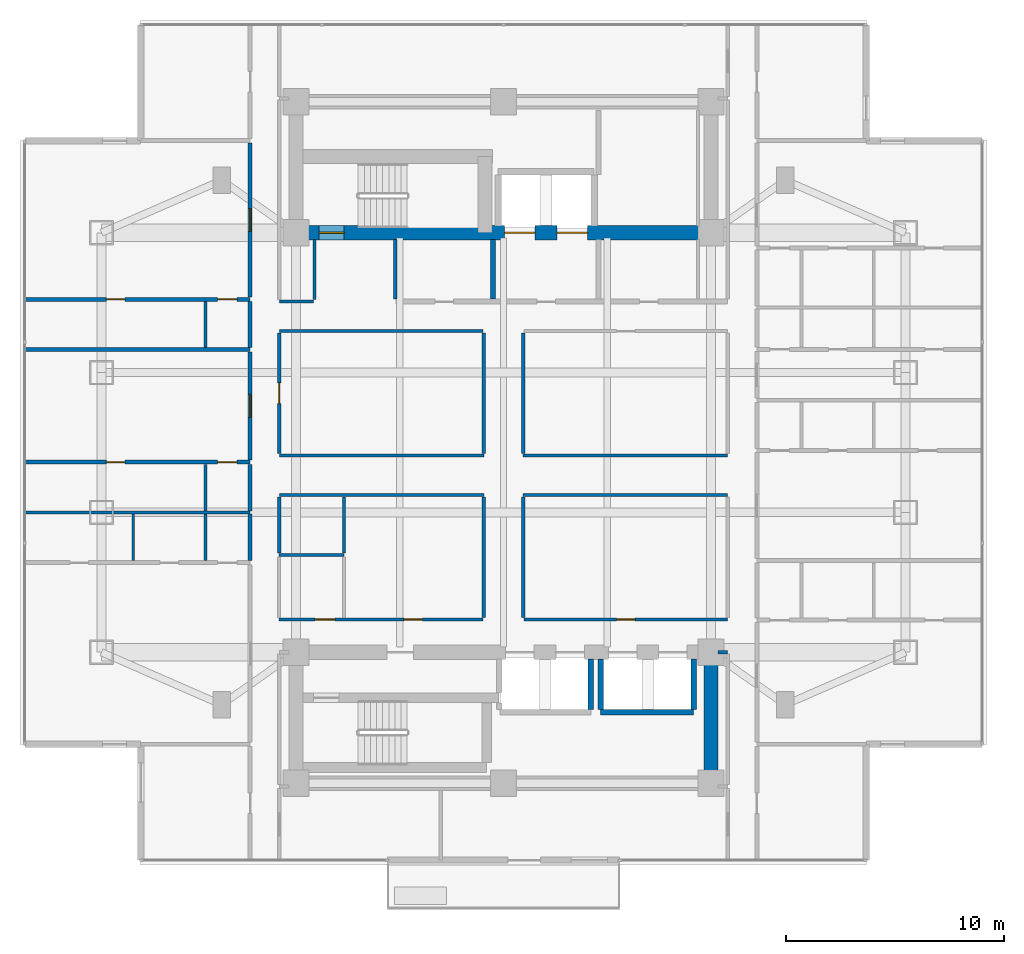
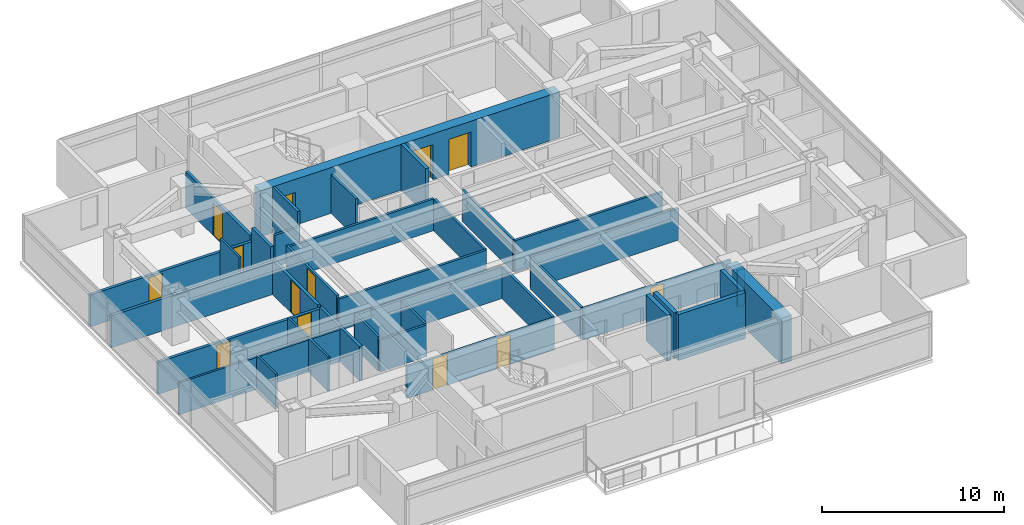
# One storey, part 14 of 26: 39 walls, 13 doors, 13 openings.
"""IFC4 building model written with IfcOpenShell, lengths in metres."""

from ifc_helpers import new_model, si_unit, direction, frame, frame_2d, origin, place, context, subcontext, project, spatial, rectangle, extrude, material, layer, layer_set, type_object, element, fill, save


model = new_model("IFC4")

# Units and contexts
model_context = context("Model", 3, precision=1e-05, world=origin(), true_north=direction((0.0, 1.0)))
body_context = subcontext(model_context, "Body", "Model", "MODEL_VIEW")
ifc_project = project(units=[si_unit("LENGTHUNIT", "METRE"), si_unit("AREAUNIT", "SQUARE_METRE"), si_unit("VOLUMEUNIT", "CUBIC_METRE"), si_unit("PLANEANGLEUNIT", "RADIAN"), si_unit("MASSUNIT", "GRAM", prefix="KILO")], contexts=[model_context])

# Site, building, storey
site_placement = place(None, origin())
site = spatial("IfcSite", under=ifc_project, at=site_placement, CompositionType="ELEMENT")
building_placement = place(site_placement, origin())
building = spatial("IfcBuilding", under=site, at=building_placement, Name="Mirazonda Arch Towers", CompositionType="ELEMENT")
storey_placement = place(building_placement, frame((0.0, 0.0, 108.199951171875)))
storey = spatial("IfcBuildingStorey", under=building, at=storey_placement, Name="L30", CompositionType="ELEMENT", Elevation=108.199951171875)

# Wall, openings, doors
ifc_material_1 = material(Name="Concrete C60/75", Category="concrete")
ifc_layer_1 = layer(ifc_material_1, 0.64990234375, Name="WALL-CORE-650")
ifc_layer_set_1 = layer_set([ifc_layer_1], Name="Concrete C60/75")
wall_type_1 = type_object("IfcWallType", Name="WALL-CORE-650", PredefinedType="SHEAR", material=ifc_layer_set_1)
wall_1_placement = place(storey_placement, frame((11.0, 37.60009765625, 0.0), z_axis=(0.0, 0.0, 1.0), x_axis=(1.0, 0.0, 0.0)))
wall_1 = element("IfcWall", 1, at=wall_1_placement, inside=storey, type_object=wall_type_1, Name="L30 T1N-S Core Shear Wall", PredefinedType="SHEAR", context=body_context, shape_type="SweptSolid", body=[
    extrude(rectangle(XDim=19.0, YDim=0.64990234375, at=frame_2d((9.5, 0.0))), origin(), (0.0, 0.0, 1.0), 3.080078125),
])
opening_1_placement = place(wall_1_placement, frame((1.06005859375, 0.0, 0.0)))
opening_1 = element("IfcOpeningElement", 2, at=opening_1_placement, cuts=wall_1, Name="Opening DR-135", PredefinedType="OPENING", context=body_context, shape_type="SweptSolid", body=[
    extrude(rectangle(XDim=1.14990234375, YDim=2.199951171875, at=frame_2d((0.574951171875, 1.10009765625))), frame((0.0, 0.3349609375, 0.0), z_axis=(0.0, -1.0, 0.0), x_axis=(1.0, 0.0, 0.0)), (0.0, 0.0, 1.0), 0.669921875),
])
opening_2_placement = place(wall_1_placement, frame((9.550048828125, 0.0, 0.0)))
opening_2 = element("IfcOpeningElement", 3, at=opening_2_placement, cuts=wall_1, Name="Opening LD-112", PredefinedType="OPENING", context=body_context, shape_type="SweptSolid", body=[
    extrude(rectangle(XDim=1.39990234375, YDim=2.35009765625, at=frame_2d((0.699951171875, 1.175048828125))), frame((0.0, 0.3349609375, 0.0), z_axis=(0.0, -1.0, 0.0), x_axis=(1.0, 0.0, 0.0)), (0.0, 0.0, 1.0), 0.669921875),
])
opening_3_placement = place(wall_1_placement, frame((11.949951171875, 0.0, 0.0)))
opening_3 = element("IfcOpeningElement", 4, at=opening_3_placement, cuts=wall_1, Name="Opening LD-112", PredefinedType="OPENING", context=body_context, shape_type="SweptSolid", body=[
    extrude(rectangle(XDim=1.39990234375, YDim=2.35009765625, at=frame_2d((0.699951171875, 1.175048828125))), frame((0.0, 0.3349609375, 0.0), z_axis=(0.0, -1.0, 0.0), x_axis=(1.0, 0.0, 0.0)), (0.0, 0.0, 1.0), 0.669921875),
])
ifc_material_2 = material(Name="Architectural Brushed Steel S355", Category="steel")
door_type_1 = type_object("IfcDoorType", Name="DOOR-LIFT-FFL-1400", OperationType="NOTDEFINED", PredefinedType="DOOR", material=ifc_material_2)
door_1_placement = place(opening_2_placement, origin())
door_1 = element("IfcDoor", 5, at=door_1_placement, inside=storey, type_object=door_type_1, Name="L30 Lift Landing Sliding Door FFL-T1", OperationType="DOUBLE_DOOR_SLIDING", OverallHeight=2.35009765625, OverallWidth=1.39990234375, PredefinedType="DOOR", context=body_context, shape_type="SweptSolid", body=[
    extrude(rectangle(XDim=1.39990234375, YDim=2.35009765625, at=frame_2d((0.699951171875, 1.175048828125))), frame((0.0, 0.02490234375, 0.0), z_axis=(0.0, -1.0, 0.0), x_axis=(1.0, 0.0, 0.0)), (0.0, 0.0, 1.0), 0.050048828125),
])
fill(opening_2, door_1)
door_2_placement = place(opening_3_placement, origin())
door_2 = element("IfcDoor", 6, at=door_2_placement, inside=storey, type_object=door_type_1, Name="L30 Lift Landing Sliding Door SVL-T1", OperationType="DOUBLE_DOOR_SLIDING", OverallHeight=2.35009765625, OverallWidth=1.39990234375, PredefinedType="DOOR", context=body_context, shape_type="SweptSolid", body=[
    extrude(rectangle(XDim=1.39990234375, YDim=2.35009765625, at=frame_2d((0.699951171875, 1.175048828125))), frame((0.0, 0.02490234375, 0.0), z_axis=(0.0, -1.0, 0.0), x_axis=(1.0, 0.0, 0.0)), (0.0, 0.0, 1.0), 0.050048828125),
])
fill(opening_3, door_2)
door_type_2 = type_object("IfcDoorType", Name="DOOR-STAIR-FD90-1150", OperationType="NOTDEFINED", PredefinedType="DOOR", material=ifc_material_2)
door_3_placement = place(opening_1_placement, origin())
door_3 = element("IfcDoor", 7, at=door_3_placement, inside=storey, type_object=door_type_2, Name="L30 Protected Exit Stair North Door", OperationType="SINGLE_SWING_RIGHT", OverallHeight=2.199951171875, OverallWidth=1.14990234375, PredefinedType="DOOR", context=body_context, shape_type="SweptSolid", body=[
    extrude(rectangle(XDim=1.14990234375, YDim=2.199951171875, at=frame_2d((0.574951171875, 1.10009765625))), frame((0.0, 0.02490234375, 0.0), z_axis=(0.0, -1.0, 0.0), x_axis=(1.0, 0.0, 0.0)), (0.0, 0.0, 1.0), 0.050048828125),
])
fill(opening_1, door_3)

# Walls
wall_2_placement = place(storey_placement, frame((30.0, 12.39990234375, 0.0), z_axis=(0.0, 0.0, 1.0), x_axis=(0.0, 1.0, 0.0)))
element("IfcWall", 8, at=wall_2_placement, inside=storey, type_object=wall_type_1, Name="L30 T1S-E Core Shear Wall", PredefinedType="SHEAR", context=body_context, shape_type="SweptSolid", body=[
    extrude(rectangle(XDim=6.0, YDim=0.64990234375, at=frame_2d((3.0, 0.0))), origin(), (0.0, 0.0, 1.0), 3.080078125),
])
ifc_material_3 = material(Name="Concrete C40/50", Category="concrete")
ifc_layer_2 = layer(ifc_material_3, 0.219970703125, Name="WALL-FFL-220")
ifc_layer_set_2 = layer_set([ifc_layer_2], Name="Concrete C40/50")
wall_type_2 = type_object("IfcWallType", Name="WALL-FFL-220", PredefinedType="SOLIDWALL", material=ifc_layer_set_2)
wall_3_placement = place(storey_placement, frame((20.02490234375, 34.570068359375, 0.0), z_axis=(0.0, 0.0, 1.0), x_axis=(0.0, 1.0, 0.0)))
element("IfcWall", 9, at=wall_3_placement, inside=storey, type_object=wall_type_2, Name="L30 Interior Partition 093", PredefinedType="SOLIDWALL", context=body_context, shape_type="SweptSolid", body=[
    extrude(rectangle(XDim=2.7099609375, YDim=0.219970703125, at=frame_2d((1.35498046875, 0.0))), origin(), (0.0, 0.0, 1.0), 3.080078125),
])
ifc_material_4 = material(Name="Fire-Rated Gypsum Stud Partition")
ifc_layer_3 = layer(ifc_material_4, 0.14990234375, Name="WALL-PART-CORR-150")
ifc_layer_set_3 = layer_set([ifc_layer_3], Name="Fire-Rated Gypsum Stud Partition")
wall_type_3 = type_object("IfcWallType", Name="WALL-PART-CORR-150", PredefinedType="PARTITIONING", material=ifc_layer_set_3)
wall_4_placement = place(storey_placement, frame((30.320068359375, 18.39990234375, 0.0), z_axis=(0.0, 0.0, 1.0), x_axis=(1.0, 0.0, 0.0)))
element("IfcWall", 10, at=wall_4_placement, inside=storey, type_object=wall_type_3, Name="L30 Interior Partition 013", PredefinedType="PARTITIONING", context=body_context, shape_type="SweptSolid", body=[
    extrude(rectangle(XDim=0.43994140625, YDim=0.14990234375, at=frame_2d((0.219970703125, 0.0))), origin(), (0.0, 0.0, 1.0), 2.4560546875),
])

# Wall, openings, doors
wall_5_placement = place(storey_placement, frame((10.219970703125, 19.89990234375, 0.0), z_axis=(0.0, 0.0, 1.0), x_axis=(1.0, 0.0, 0.0)))
wall_5 = element("IfcWall", 11, at=wall_5_placement, inside=storey, type_object=wall_type_3, Name="L30 Interior Partition 015", PredefinedType="PARTITIONING", context=body_context, shape_type="SweptSolid", body=[
    extrude(rectangle(XDim=9.340087890625, YDim=0.14990234375, at=frame_2d((4.669921875, 0.0))), origin(), (0.0, 0.0, 1.0), 2.1240234375),
])
opening_4_placement = place(wall_5_placement, frame((1.659912109375, 0.0, 0.0)))
opening_4 = element("IfcOpeningElement", 12, at=opening_4_placement, cuts=wall_5, Name="Opening DR-120", PredefinedType="OPENING", context=body_context, shape_type="SweptSolid", body=[
    extrude(rectangle(XDim=0.89990234375, YDim=2.10009765625, at=frame_2d((0.449951171875, 1.050048828125))), frame((0.0, 0.0849609375, 0.0), z_axis=(0.0, -1.0, 0.0), x_axis=(1.0, 0.0, 0.0)), (0.0, 0.0, 1.0), 0.169921875),
])
opening_5_placement = place(wall_5_placement, frame((5.715087890625, 0.0, 0.0)))
opening_5 = element("IfcOpeningElement", 13, at=opening_5_placement, cuts=wall_5, Name="Opening DR-128", PredefinedType="OPENING", context=body_context, shape_type="SweptSolid", body=[
    extrude(rectangle(XDim=0.85009765625, YDim=2.010009765625, at=frame_2d((0.425048828125, 1.0048828125))), frame((0.0, 0.0849609375, 0.0), z_axis=(0.0, -1.0, 0.0), x_axis=(1.0, 0.0, 0.0)), (0.0, 0.0, 1.0), 0.169921875),
])
door_type_3 = type_object("IfcDoorType", Name="DOOR-RISER-FD60-850", OperationType="NOTDEFINED", PredefinedType="DOOR", material=ifc_material_2)
door_4_placement = place(opening_5_placement, origin())
door_4 = element("IfcDoor", 14, at=door_4_placement, inside=storey, type_object=door_type_3, Name="L30 L30 West Courtyard Study Door", OperationType="SINGLE_SWING_LEFT", OverallHeight=2.010009765625, OverallWidth=0.85009765625, PredefinedType="DOOR", context=body_context, shape_type="SweptSolid", body=[
    extrude(rectangle(XDim=0.85009765625, YDim=2.010009765625, at=frame_2d((0.425048828125, 1.0048828125))), frame((0.0, 0.02490234375, 0.0), z_axis=(0.0, -1.0, 0.0), x_axis=(1.0, 0.0, 0.0)), (0.0, 0.0, 1.0), 0.050048828125),
])
fill(opening_5, door_4)
door_type_4 = type_object("IfcDoorType", Name="DOOR-WC-900", OperationType="NOTDEFINED", PredefinedType="DOOR", material=ifc_material_2)
door_5_placement = place(opening_4_placement, origin())
door_5 = element("IfcDoor", 15, at=door_5_placement, inside=storey, type_object=door_type_4, Name="L30 Common Accessible WC Door", OperationType="SINGLE_SWING_RIGHT", OverallHeight=2.10009765625, OverallWidth=0.89990234375, PredefinedType="DOOR", context=body_context, shape_type="SweptSolid", body=[
    extrude(rectangle(XDim=0.89990234375, YDim=2.10009765625, at=frame_2d((0.449951171875, 1.050048828125))), frame((0.0, 0.02490234375, 0.0), z_axis=(0.0, -1.0, 0.0), x_axis=(1.0, 0.0, 0.0)), (0.0, 0.0, 1.0), 0.050048828125),
])
fill(opening_4, door_5)

# Wall, opening, door
wall_6_placement = place(storey_placement, frame((21.43994140625, 19.89990234375, 0.0), z_axis=(0.0, 0.0, 1.0), x_axis=(1.0, 0.0, 0.0)))
wall_6 = element("IfcWall", 16, at=wall_6_placement, inside=storey, type_object=wall_type_3, Name="L30 Interior Partition 016", PredefinedType="PARTITIONING", context=body_context, shape_type="SweptSolid", body=[
    extrude(rectangle(XDim=9.320068359375, YDim=0.14990234375, at=frame_2d((4.66015625, 0.0))), origin(), (0.0, 0.0, 1.0), 2.1240234375),
])
opening_6_placement = place(wall_6_placement, frame((4.235107421875, 0.0, 0.0)))
opening_6 = element("IfcOpeningElement", 17, at=opening_6_placement, cuts=wall_6, Name="Opening DR-128", PredefinedType="OPENING", context=body_context, shape_type="SweptSolid", body=[
    extrude(rectangle(XDim=0.85009765625, YDim=2.010009765625, at=frame_2d((0.425048828125, 1.0048828125))), frame((0.0, 0.0849609375, 0.0), z_axis=(0.0, -1.0, 0.0), x_axis=(1.0, 0.0, 0.0)), (0.0, 0.0, 1.0), 0.169921875),
])
door_6_placement = place(opening_6_placement, origin())
door_6 = element("IfcDoor", 18, at=door_6_placement, inside=storey, type_object=door_type_3, Name="L30 L30 South-East Cruciform Lounge Door", OperationType="SINGLE_SWING_LEFT", OverallHeight=2.010009765625, OverallWidth=0.85009765625, PredefinedType="DOOR", context=body_context, shape_type="SweptSolid", body=[
    extrude(rectangle(XDim=0.85009765625, YDim=2.010009765625, at=frame_2d((0.425048828125, 1.0048828125))), frame((0.0, 0.02490234375, 0.0), z_axis=(0.0, -1.0, 0.0), x_axis=(1.0, 0.0, 0.0)), (0.0, 0.0, 1.0), 0.050048828125),
])
fill(opening_6, door_6)

# Walls
wall_7_placement = place(storey_placement, frame((10.219970703125, 22.85009765625, 0.0), z_axis=(0.0, 0.0, 1.0), x_axis=(1.0, 0.0, 0.0)))
element("IfcWall", 19, at=wall_7_placement, inside=storey, type_object=wall_type_3, Name="L30 Interior Partition 025", PredefinedType="PARTITIONING", context=body_context, shape_type="SweptSolid", body=[
    extrude(rectangle(XDim=2.97998046875, YDim=0.14990234375, at=frame_2d((1.489990234375, 0.0))), origin(), (0.0, 0.0, 1.0), 2.1240234375),
])
for number, where, z_axis, x_axis, name in (
    (20, (10.239990234375, 25.60009765625, 0.0), (0.0, 0.0, 1.0), (1.0, 0.0, 0.0), "L30 Interior Partition 029"),
    (21, (21.39990234375, 25.60009765625, 0.0), (0.0, 0.0, 1.0), (1.0, 0.0, 0.0), "L30 Interior Partition 030"),
    (22, (10.239990234375, 27.39990234375, 0.0), (0.0, 0.0, 1.0), (1.0, 0.0, 0.0), "L30 Interior Partition 034"),
    (23, (21.39990234375, 27.39990234375, 0.0), (0.0, 0.0, 1.0), (1.0, 0.0, 0.0), "L30 Interior Partition 035"),
):
    element("IfcWall", number, at=place(storey_placement, frame(where, z_axis=z_axis, x_axis=x_axis)), inside=storey, type_object=wall_type_3, Name=name, PredefinedType="PARTITIONING", context=body_context, shape_type="SweptSolid", body=[
        extrude(rectangle(XDim=9.360107421875, YDim=0.14990234375, at=frame_2d((4.68017578125, 0.0))), origin(), (0.0, 0.0, 1.0), 2.1240234375),
    ])
wall_8_placement = place(storey_placement, frame((10.239990234375, 33.10009765625, 0.0), z_axis=(0.0, 0.0, 1.0), x_axis=(1.0, 0.0, 0.0)))
element("IfcWall", 24, at=wall_8_placement, inside=storey, type_object=wall_type_3, Name="L30 Interior Partition 048", PredefinedType="PARTITIONING", context=body_context, shape_type="SweptSolid", body=[
    extrude(rectangle(XDim=9.320068359375, YDim=0.14990234375, at=frame_2d((4.66015625, 0.0))), origin(), (0.0, 0.0, 1.0), 2.1240234375),
])
wall_9_placement = place(storey_placement, frame((10.239990234375, 34.449951171875, 0.0), z_axis=(0.0, 0.0, 1.0), x_axis=(1.0, 0.0, 0.0)))
element("IfcWall", 25, at=wall_9_placement, inside=storey, type_object=wall_type_3, Name="L30 Interior Partition 052", PredefinedType="PARTITIONING", context=body_context, shape_type="SweptSolid", body=[
    extrude(rectangle(XDim=1.56005859375, YDim=0.14990234375, at=frame_2d((0.780029296875, 0.0))), origin(), (0.0, 0.0, 1.0), 2.1240234375),
])
wall_10_placement = place(storey_placement, frame((10.239990234375, 22.93505859375, 0.0), z_axis=(0.0, 0.0, 1.0), x_axis=(0.0, 1.0, 0.0)))
element("IfcWall", 26, at=wall_10_placement, inside=storey, type_object=wall_type_3, Name="L30 Interior Partition 081", PredefinedType="PARTITIONING", context=body_context, shape_type="SweptSolid", body=[
    extrude(rectangle(XDim=2.579833984375, YDim=0.14990234375, at=frame_2d((1.2900390625, 0.0))), origin(), (0.0, 0.0, 1.0), 2.299072265625),
])

# Wall, opening, door
wall_11_placement = place(storey_placement, frame((10.239990234375, 27.485107421875, 0.0), z_axis=(0.0, 0.0, 1.0), x_axis=(0.0, 1.0, 0.0)))
wall_11 = element("IfcWall", 27, at=wall_11_placement, inside=storey, type_object=wall_type_3, Name="L30 Interior Partition 082", PredefinedType="PARTITIONING", context=body_context, shape_type="SweptSolid", body=[
    extrude(rectangle(XDim=5.52978515625, YDim=0.14990234375, at=frame_2d((2.764892578125, 0.0))), origin(), (0.0, 0.0, 1.0), 2.299072265625),
])
opening_7_placement = place(wall_11_placement, frame((2.2900390625, 0.0, 0.0)))
opening_7 = element("IfcOpeningElement", 28, at=opening_7_placement, cuts=wall_11, Name="Opening DR-104", PredefinedType="OPENING", context=body_context, shape_type="SweptSolid", body=[
    extrude(rectangle(XDim=0.949951171875, YDim=2.14990234375, at=frame_2d((0.47509765625, 1.074951171875))), frame((0.0, 0.0849609375, 0.0), z_axis=(0.0, -1.0, 0.0), x_axis=(1.0, 0.0, 0.0)), (0.0, 0.0, 1.0), 0.169921875),
])
door_type_5 = type_object("IfcDoorType", Name="DOOR-ROOM-950", OperationType="NOTDEFINED", PredefinedType="DOOR", material=ifc_material_2)
door_7_placement = place(opening_7_placement, origin())
door_7 = element("IfcDoor", 29, at=door_7_placement, inside=storey, type_object=door_type_5, Name="L30 L30 West Courtyard Reading Salon Door", OperationType="SINGLE_SWING_RIGHT", OverallHeight=2.14990234375, OverallWidth=0.949951171875, PredefinedType="DOOR", context=body_context, shape_type="SweptSolid", body=[
    extrude(rectangle(XDim=0.949951171875, YDim=2.14990234375, at=frame_2d((0.47509765625, 1.074951171875))), frame((0.0, 0.02490234375, 0.0), z_axis=(0.0, -1.0, 0.0), x_axis=(1.0, 0.0, 0.0)), (0.0, 0.0, 1.0), 0.050048828125),
])
fill(opening_7, door_7)

# Walls
wall_12_placement = place(storey_placement, frame((11.85009765625, 34.534912109375, 0.0), z_axis=(0.0, 0.0, 1.0), x_axis=(0.0, 1.0, 0.0)))
element("IfcWall", 30, at=wall_12_placement, inside=storey, type_object=wall_type_3, Name="L30 Interior Partition 085", PredefinedType="PARTITIONING", context=body_context, shape_type="SweptSolid", body=[
    extrude(rectangle(XDim=2.7451171875, YDim=0.14990234375, at=frame_2d((1.37255859375, 0.0))), origin(), (0.0, 0.0, 1.0), 3.080078125),
])
wall_13_placement = place(storey_placement, frame((13.199951171875, 22.93505859375, 0.0), z_axis=(0.0, 0.0, 1.0), x_axis=(0.0, 1.0, 0.0)))
element("IfcWall", 31, at=wall_13_placement, inside=storey, type_object=wall_type_3, Name="L30 Interior Partition 087", PredefinedType="PARTITIONING", context=body_context, shape_type="SweptSolid", body=[
    extrude(rectangle(XDim=2.579833984375, YDim=0.14990234375, at=frame_2d((1.2900390625, 0.0))), origin(), (0.0, 0.0, 1.0), 2.1240234375),
])
wall_14_placement = place(storey_placement, frame((15.550048828125, 34.570068359375, 0.0), z_axis=(0.0, 0.0, 1.0), x_axis=(0.0, 1.0, 0.0)))
element("IfcWall", 32, at=wall_14_placement, inside=storey, type_object=wall_type_3, Name="L30 Interior Partition 088", PredefinedType="PARTITIONING", context=body_context, shape_type="SweptSolid", body=[
    extrude(rectangle(XDim=2.7099609375, YDim=0.14990234375, at=frame_2d((1.35498046875, 0.0))), origin(), (0.0, 0.0, 1.0), 2.609130859375),
])
for number, where, z_axis, x_axis, name in (
    (33, (19.60009765625, 19.985107421875, 0.0), (0.0, 0.0, 1.0), (0.0, 1.0, 0.0), "L30 Interior Partition 090"),
    (34, (19.60009765625, 27.485107421875, 0.0), (0.0, 0.0, 1.0), (0.0, 1.0, 0.0), "L30 Interior Partition 091"),
    (35, (21.39990234375, 19.985107421875, 0.0), (0.0, 0.0, 1.0), (0.0, 1.0, 0.0), "L30 Interior Partition 097"),
    (36, (21.39990234375, 27.485107421875, 0.0), (0.0, 0.0, 1.0), (0.0, 1.0, 0.0), "L30 Interior Partition 098"),
):
    element("IfcWall", number, at=place(storey_placement, frame(where, z_axis=z_axis, x_axis=x_axis)), inside=storey, type_object=wall_type_3, Name=name, PredefinedType="PARTITIONING", context=body_context, shape_type="SweptSolid", body=[
        extrude(rectangle(XDim=5.52978515625, YDim=0.14990234375, at=frame_2d((2.764892578125, 0.0))), origin(), (0.0, 0.0, 1.0), 2.1240234375),
    ])

# Wall, openings, doors
ifc_material_5 = material(Name="Fire-Rated Gypsum Twin-Stud Assembly")
ifc_layer_4 = layer(ifc_material_5, 0.179931640625, Name="WALL-PART-DEMISE-180")
ifc_layer_set_4 = layer_set([ifc_layer_4], Name="Fire-Rated Gypsum Twin-Stud Assembly")
wall_type_4 = type_object("IfcWallType", Name="WALL-PART-DEMISE-180", PredefinedType="PARTITIONING", material=ifc_layer_set_4)
wall_15_placement = place(storey_placement, frame((-1.409912109375, 27.10009765625, 0.0), z_axis=(0.0, 0.0, 1.0), x_axis=(1.0, 0.0, 0.0)))
wall_15 = element("IfcWall", 37, at=wall_15_placement, inside=storey, type_object=wall_type_4, Name="L30 Interior Partition 033", PredefinedType="PARTITIONING", context=body_context, shape_type="SweptSolid", body=[
    extrude(rectangle(XDim=10.309814453125, YDim=0.179931640625, at=frame_2d((5.15478515625, 0.0))), origin(), (0.0, 0.0, 1.0), 2.14501953125),
])
opening_8_placement = place(wall_15_placement, frame((3.72998046875, 0.0, 0.0)))
opening_8 = element("IfcOpeningElement", 38, at=opening_8_placement, cuts=wall_15, Name="Opening DR-128", PredefinedType="OPENING", context=body_context, shape_type="SweptSolid", body=[
    extrude(rectangle(XDim=0.85009765625, YDim=2.010009765625, at=frame_2d((0.425048828125, 1.0048828125))), frame((0.0, 0.099853515625, 0.0), z_axis=(0.0, -1.0, 0.0), x_axis=(1.0, 0.0, 0.0)), (0.0, 0.0, 1.0), 0.199951171875),
])
opening_9_placement = place(wall_15_placement, frame((8.820068359375, 0.0, 0.0)))
opening_9 = element("IfcOpeningElement", 39, at=opening_9_placement, cuts=wall_15, Name="Opening DR-120", PredefinedType="OPENING", context=body_context, shape_type="SweptSolid", body=[
    extrude(rectangle(XDim=0.89990234375, YDim=2.10009765625, at=frame_2d((0.449951171875, 1.050048828125))), frame((0.0, 0.099853515625, 0.0), z_axis=(0.0, -1.0, 0.0), x_axis=(1.0, 0.0, 0.0)), (0.0, 0.0, 1.0), 0.199951171875),
])
door_8_placement = place(opening_8_placement, origin())
door_8 = element("IfcDoor", 40, at=door_8_placement, inside=storey, type_object=door_type_3, Name="L30 Studio 2 Galley Kitchen Door", OperationType="SINGLE_SWING_RIGHT", OverallHeight=2.010009765625, OverallWidth=0.85009765625, PredefinedType="DOOR", context=body_context, shape_type="SweptSolid", body=[
    extrude(rectangle(XDim=0.85009765625, YDim=2.010009765625, at=frame_2d((0.425048828125, 1.0048828125))), frame((0.0, 0.02490234375, 0.0), z_axis=(0.0, -1.0, 0.0), x_axis=(1.0, 0.0, 0.0)), (0.0, 0.0, 1.0), 0.050048828125),
])
fill(opening_8, door_8)
door_9_placement = place(opening_9_placement, origin())
door_9 = element("IfcDoor", 41, at=door_9_placement, inside=storey, type_object=door_type_4, Name="L30 Studio 2 Bathroom Door", OperationType="SINGLE_SWING_LEFT", OverallHeight=2.10009765625, OverallWidth=0.89990234375, PredefinedType="DOOR", context=body_context, shape_type="SweptSolid", body=[
    extrude(rectangle(XDim=0.89990234375, YDim=2.10009765625, at=frame_2d((0.449951171875, 1.050048828125))), frame((0.0, 0.02490234375, 0.0), z_axis=(0.0, -1.0, 0.0), x_axis=(1.0, 0.0, 0.0)), (0.0, 0.0, 1.0), 0.050048828125),
])
fill(opening_9, door_9)

# Wall
wall_16_placement = place(storey_placement, frame((-1.409912109375, 32.251953125, 0.0), z_axis=(0.0, 0.0, 1.0), x_axis=(1.0, 0.0, 0.0)))
element("IfcWall", 42, at=wall_16_placement, inside=storey, type_object=wall_type_4, Name="L30 Interior Partition 045", PredefinedType="PARTITIONING", context=body_context, shape_type="SweptSolid", body=[
    extrude(rectangle(XDim=10.309814453125, YDim=0.179931640625, at=frame_2d((5.15478515625, 0.0))), origin(), (0.0, 0.0, 1.0), 2.14501953125),
])

# Wall, openings, doors
wall_17_placement = place(storey_placement, frame((-1.409912109375, 34.552001953125, 0.0), z_axis=(0.0, 0.0, 1.0), x_axis=(1.0, 0.0, 0.0)))
wall_17 = element("IfcWall", 43, at=wall_17_placement, inside=storey, type_object=wall_type_4, Name="L30 Interior Partition 051", PredefinedType="PARTITIONING", context=body_context, shape_type="SweptSolid", body=[
    extrude(rectangle(XDim=10.309814453125, YDim=0.179931640625, at=frame_2d((5.15478515625, 0.0))), origin(), (0.0, 0.0, 1.0), 2.14501953125),
])
opening_10_placement = place(wall_17_placement, frame((3.72998046875, 0.0, 0.0)))
opening_10 = element("IfcOpeningElement", 44, at=opening_10_placement, cuts=wall_17, Name="Opening DR-128", PredefinedType="OPENING", context=body_context, shape_type="SweptSolid", body=[
    extrude(rectangle(XDim=0.85009765625, YDim=2.010009765625, at=frame_2d((0.425048828125, 1.0048828125))), frame((0.0, 0.099853515625, 0.0), z_axis=(0.0, -1.0, 0.0), x_axis=(1.0, 0.0, 0.0)), (0.0, 0.0, 1.0), 0.199951171875),
])
opening_11_placement = place(wall_17_placement, frame((8.820068359375, 0.0, 0.0)))
opening_11 = element("IfcOpeningElement", 45, at=opening_11_placement, cuts=wall_17, Name="Opening DR-120", PredefinedType="OPENING", context=body_context, shape_type="SweptSolid", body=[
    extrude(rectangle(XDim=0.89990234375, YDim=2.10009765625, at=frame_2d((0.449951171875, 1.050048828125))), frame((0.0, 0.099853515625, 0.0), z_axis=(0.0, -1.0, 0.0), x_axis=(1.0, 0.0, 0.0)), (0.0, 0.0, 1.0), 0.199951171875),
])
door_10_placement = place(opening_10_placement, origin())
door_10 = element("IfcDoor", 46, at=door_10_placement, inside=storey, type_object=door_type_3, Name="L30 Studio 3 Galley Kitchen Door", OperationType="SINGLE_SWING_LEFT", OverallHeight=2.010009765625, OverallWidth=0.85009765625, PredefinedType="DOOR", context=body_context, shape_type="SweptSolid", body=[
    extrude(rectangle(XDim=0.85009765625, YDim=2.010009765625, at=frame_2d((0.425048828125, 1.0048828125))), frame((0.0, 0.02490234375, 0.0), z_axis=(0.0, -1.0, 0.0), x_axis=(1.0, 0.0, 0.0)), (0.0, 0.0, 1.0), 0.050048828125),
])
fill(opening_10, door_10)
door_11_placement = place(opening_11_placement, origin())
door_11 = element("IfcDoor", 47, at=door_11_placement, inside=storey, type_object=door_type_4, Name="L30 Studio 3 Bathroom Door", OperationType="SINGLE_SWING_RIGHT", OverallHeight=2.10009765625, OverallWidth=0.89990234375, PredefinedType="DOOR", context=body_context, shape_type="SweptSolid", body=[
    extrude(rectangle(XDim=0.89990234375, YDim=2.10009765625, at=frame_2d((0.449951171875, 1.050048828125))), frame((0.0, 0.02490234375, 0.0), z_axis=(0.0, -1.0, 0.0), x_axis=(1.0, 0.0, 0.0)), (0.0, 0.0, 1.0), 0.050048828125),
])
fill(opening_11, door_11)

# Walls
for number, where, z_axis, x_axis, name in (
    (48, (8.89990234375, 22.60009765625, 0.0), (0.0, 0.0, 1.0), (0.0, 1.0, 0.0), "L30 Interior Partition 072"),
    (49, (8.89990234375, 24.87255859375, 0.0), (0.0, 0.0, 1.0), (0.0, 1.0, 0.0), "L30 Interior Partition 073"),
):
    element("IfcWall", number, at=place(storey_placement, frame(where, z_axis=z_axis, x_axis=x_axis)), inside=storey, type_object=wall_type_4, Name=name, PredefinedType="PARTITIONING", context=body_context, shape_type="SweptSolid", body=[
        extrude(rectangle(XDim=2.12744140625, YDim=0.179931640625, at=frame_2d((1.063720703125, 0.0))), origin(), (0.0, 0.0, 1.0), 2.299072265625),
    ])

# Wall, opening, door
wall_18_placement = place(storey_placement, frame((8.89990234375, 27.199951171875, 0.0), z_axis=(0.0, 0.0, 1.0), x_axis=(0.0, 1.0, 0.0)))
wall_18 = element("IfcWall", 50, at=wall_18_placement, inside=storey, type_object=wall_type_4, Name="L30 Interior Partition 074", PredefinedType="PARTITIONING", context=body_context, shape_type="SweptSolid", body=[
    extrude(rectangle(XDim=4.9521484375, YDim=0.179931640625, at=frame_2d((2.47607421875, 0.0))), origin(), (0.0, 0.0, 1.0), 2.299072265625),
])
opening_12_placement = place(wall_18_placement, frame((1.950927734375, 0.0, 0.0)))
opening_12 = element("IfcOpeningElement", 51, at=opening_12_placement, cuts=wall_18, Name="Opening DR-121", PredefinedType="OPENING", context=body_context, shape_type="SweptSolid", body=[
    extrude(rectangle(XDim=1.050048828125, YDim=2.199951171875, at=frame_2d((0.52490234375, 1.10009765625))), frame((0.0, 0.099853515625, 0.0), z_axis=(0.0, -1.0, 0.0), x_axis=(1.0, 0.0, 0.0)), (0.0, 0.0, 1.0), 0.199951171875),
])
door_type_6 = type_object("IfcDoorType", Name="DOOR-SUITE-FD60-1050", OperationType="NOTDEFINED", PredefinedType="DOOR", material=ifc_material_2)
door_12_placement = place(opening_12_placement, origin())
door_12 = element("IfcDoor", 52, at=door_12_placement, inside=storey, type_object=door_type_6, Name="L30 Studio Apartment 2 Living Salon Door", OperationType="SINGLE_SWING_LEFT", OverallHeight=2.199951171875, OverallWidth=1.050048828125, PredefinedType="DOOR", context=body_context, shape_type="SweptSolid", body=[
    extrude(rectangle(XDim=1.050048828125, YDim=2.199951171875, at=frame_2d((0.52490234375, 1.10009765625))), frame((0.0, 0.02490234375, 0.0), z_axis=(0.0, -1.0, 0.0), x_axis=(1.0, 0.0, 0.0)), (0.0, 0.0, 1.0), 0.050048828125),
])
fill(opening_12, door_12)

# Wall
wall_19_placement = place(storey_placement, frame((8.89990234375, 32.35205078125, 0.0), z_axis=(0.0, 0.0, 1.0), x_axis=(0.0, 1.0, 0.0)))
element("IfcWall", 53, at=wall_19_placement, inside=storey, type_object=wall_type_4, Name="L30 Interior Partition 075", PredefinedType="PARTITIONING", context=body_context, shape_type="SweptSolid", body=[
    extrude(rectangle(XDim=2.099853515625, YDim=0.179931640625, at=frame_2d((1.0498046875, 0.0))), origin(), (0.0, 0.0, 1.0), 3.080078125),
])

# Wall, opening, door
wall_20_placement = place(storey_placement, frame((8.89990234375, 34.652099609375, 0.0), z_axis=(0.0, 0.0, 1.0), x_axis=(0.0, 1.0, 0.0)))
wall_20 = element("IfcWall", 54, at=wall_20_placement, inside=storey, type_object=wall_type_4, Name="L30 Interior Partition 076", PredefinedType="PARTITIONING", context=body_context, shape_type="SweptSolid", body=[
    extrude(rectangle(XDim=7.060791015625, YDim=0.179931640625, at=frame_2d((3.5302734375, 0.0))), origin(), (0.0, 0.0, 1.0), 2.4560546875),
])
opening_13_placement = place(wall_20_placement, frame((3.005615234375, 0.0, 0.0)))
opening_13 = element("IfcOpeningElement", 55, at=opening_13_placement, cuts=wall_20, Name="Opening DR-121", PredefinedType="OPENING", context=body_context, shape_type="SweptSolid", body=[
    extrude(rectangle(XDim=1.050048828125, YDim=2.199951171875, at=frame_2d((0.52490234375, 1.10009765625))), frame((0.0, 0.099853515625, 0.0), z_axis=(0.0, -1.0, 0.0), x_axis=(1.0, 0.0, 0.0)), (0.0, 0.0, 1.0), 0.199951171875),
])
door_13_placement = place(opening_13_placement, origin())
door_13 = element("IfcDoor", 56, at=door_13_placement, inside=storey, type_object=door_type_6, Name="L30 Studio Apartment 3 Living Salon Door", OperationType="SINGLE_SWING_RIGHT", OverallHeight=2.199951171875, OverallWidth=1.050048828125, PredefinedType="DOOR", context=body_context, shape_type="SweptSolid", body=[
    extrude(rectangle(XDim=1.050048828125, YDim=2.199951171875, at=frame_2d((0.52490234375, 1.10009765625))), frame((0.0, 0.02490234375, 0.0), z_axis=(0.0, -1.0, 0.0), x_axis=(1.0, 0.0, 0.0)), (0.0, 0.0, 1.0), 0.050048828125),
])
fill(opening_13, door_13)

# Walls
ifc_material_6 = material(Name="Acoustic Fire-Rated Gypsum Partition")
ifc_layer_5 = layer(ifc_material_6, 0.125, Name="WALL-PART-UNIT-125")
ifc_layer_set_5 = layer_set([ifc_layer_5], Name="Acoustic Fire-Rated Gypsum Partition")
wall_type_5 = type_object("IfcWallType", Name="WALL-PART-UNIT-125", PredefinedType="PARTITIONING", material=ifc_layer_set_5)
wall_21_placement = place(storey_placement, frame((-1.409912109375, 24.800048828125, 0.0), z_axis=(0.0, 0.0, 1.0), x_axis=(1.0, 0.0, 0.0)))
element("IfcWall", 57, at=wall_21_placement, inside=storey, type_object=wall_type_5, Name="L30 Interior Partition 027", PredefinedType="PARTITIONING", context=body_context, shape_type="SweptSolid", body=[
    extrude(rectangle(XDim=10.309814453125, YDim=0.125, at=frame_2d((5.15478515625, 0.0))), origin(), (0.0, 0.0, 1.0), 2.14501953125),
])
for number, where, z_axis, x_axis, name in (
    (58, (3.552001953125, 22.60009765625, 0.0), (0.0, 0.0, 1.0), (0.0, 1.0, 0.0), "L30 Interior Partition 066"),
    (59, (6.860107421875, 22.60009765625, 0.0), (0.0, 0.0, 1.0), (0.0, 1.0, 0.0), "L30 Interior Partition 067"),
    (60, (6.860107421875, 24.87255859375, 0.0), (0.0, 0.0, 1.0), (0.0, 1.0, 0.0), "L30 Interior Partition 068"),
):
    element("IfcWall", number, at=place(storey_placement, frame(where, z_axis=z_axis, x_axis=x_axis)), inside=storey, type_object=wall_type_5, Name=name, PredefinedType="PARTITIONING", context=body_context, shape_type="SweptSolid", body=[
        extrude(rectangle(XDim=2.12744140625, YDim=0.125, at=frame_2d((1.063720703125, 0.0))), origin(), (0.0, 0.0, 1.0), 2.299072265625),
    ])
wall_22_placement = place(storey_placement, frame((6.860107421875, 32.35205078125, 0.0), z_axis=(0.0, 0.0, 1.0), x_axis=(0.0, 1.0, 0.0)))
element("IfcWall", 61, at=wall_22_placement, inside=storey, type_object=wall_type_5, Name="L30 Interior Partition 069", PredefinedType="PARTITIONING", context=body_context, shape_type="SweptSolid", body=[
    extrude(rectangle(XDim=2.099853515625, YDim=0.125, at=frame_2d((1.0498046875, 0.0))), origin(), (0.0, 0.0, 1.0), 3.080078125),
])
ifc_layer_6 = layer(ifc_material_3, 0.25, Name="WALL-SHAFT-250")
ifc_layer_set_6 = layer_set([ifc_layer_6], Name="Concrete C40/50")
wall_type_6 = type_object("IfcWallType", Name="WALL-SHAFT-250", PredefinedType="SOLIDWALL", material=ifc_layer_set_6)
wall_23_placement = place(storey_placement, frame((24.949951171875, 15.64990234375, 0.0), z_axis=(0.0, 0.0, 1.0), x_axis=(1.0, 0.0, 0.0)))
element("IfcWall", 62, at=wall_23_placement, inside=storey, type_object=wall_type_6, Name="L30 Interior Partition 007", PredefinedType="SOLIDWALL", context=body_context, shape_type="SweptSolid", body=[
    extrude(rectangle(XDim=4.25, YDim=0.25, at=frame_2d((2.125, 0.0))), origin(), (0.0, 0.0, 1.0), 3.080078125),
])
for number, where, z_axis, x_axis, name in (
    (63, (24.5, 15.784912109375, 0.0), (0.0, 0.0, 1.0), (0.0, 1.0, 0.0), "L30 Interior Partition 099"),
    (64, (24.949951171875, 15.784912109375, 0.0), (0.0, 0.0, 1.0), (0.0, 1.0, 0.0), "L30 Interior Partition 101"),
    (65, (29.199951171875, 15.784912109375, 0.0), (0.0, 0.0, 1.0), (0.0, 1.0, 0.0), "L30 Interior Partition 104"),
):
    element("IfcWall", number, at=place(storey_placement, frame(where, z_axis=z_axis, x_axis=x_axis)), inside=storey, type_object=wall_type_6, Name=name, PredefinedType="SOLIDWALL", context=body_context, shape_type="SweptSolid", body=[
        extrude(rectangle(XDim=2.295166015625, YDim=0.25, at=frame_2d((1.1474609375, 0.0))), origin(), (0.0, 0.0, 1.0), 3.080078125),
    ])

save(model, "model.ifc")
